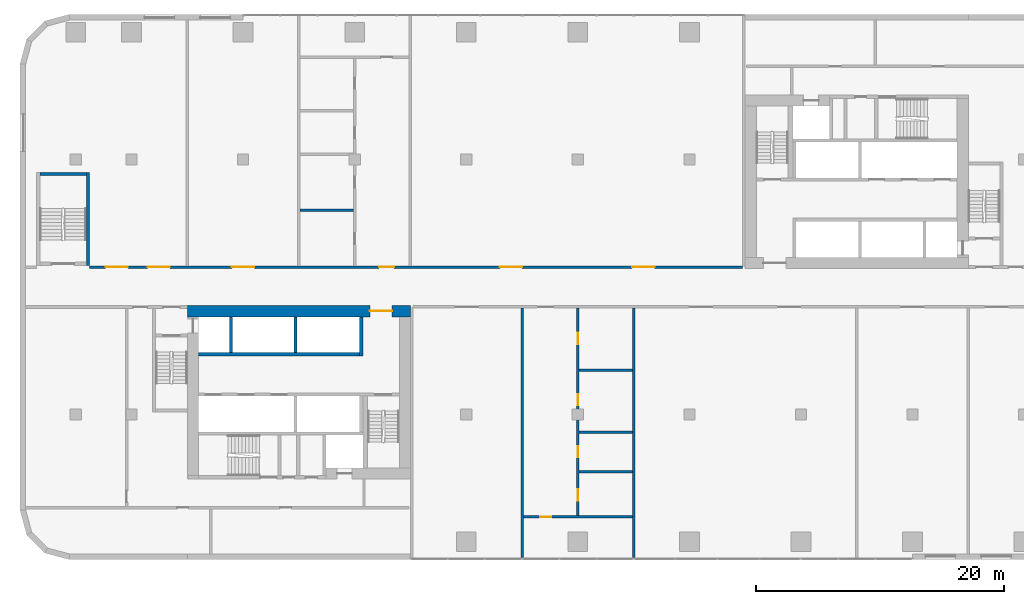
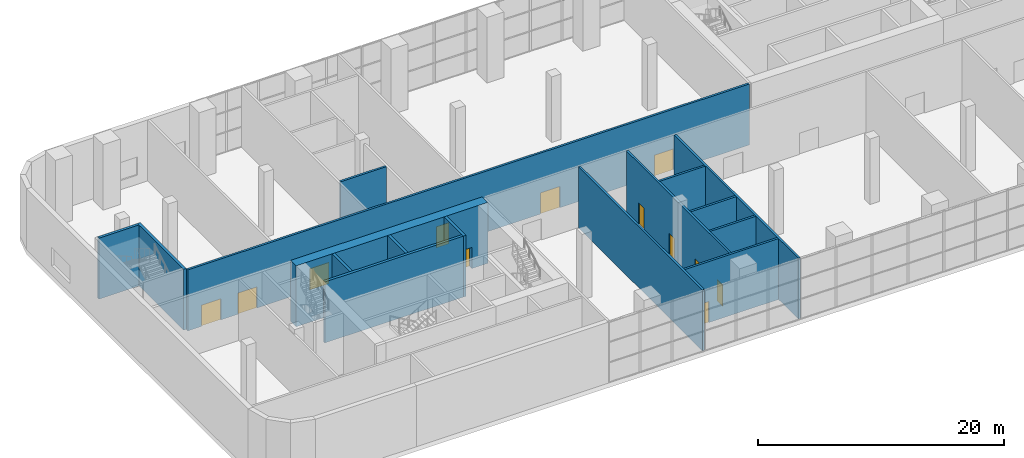
# One storey, part 9 of 24: 16 walls, 12 doors, 12 openings.
"""IFC4 building model written with IfcOpenShell, lengths in metres."""

import ifcopenshell
import ifcopenshell.guid

model = None  # the IFC model being written
_history = None  # IfcOwnerHistory: only IFC2X3 demands one
_inside = {}  # id of a spatial element -> (the spatial element, [elements in it])
_under = {}  # id of a project, library or spatial element -> (it, [spatial elements below it])
_declared = {}  # id of a project -> (the project, [libraries it declares])
_typed = {}  # id of a type object -> (the type object, [elements of that type])
_made_of = {}  # id of a material, layer set ... -> (it, [elements and type objects made of it])


def new_model(schema):
    """Start an empty IFC model of exactly this schema.

    Asked for "IFC4X3", IfcOpenShell would pick the latest addendum, in which some entities
    have other attributes; the version numbers below select the first issue.
    IFC2X3 requires an IfcOwnerHistory on every rooted entity: one is made here for all.
    """
    global model, _history
    if schema == "IFC4X3":
        model = ifcopenshell.file(schema_version=(4, 3, 0, 0))
    else:
        model = ifcopenshell.file(schema=schema)
    _inside.clear()
    _under.clear()
    _declared.clear()
    _typed.clear()
    _made_of.clear()
    _history = None
    if model.schema == "IFC2X3":
        org = make("IfcOrganization", Name="unknown")
        user = make(
            "IfcPersonAndOrganization",
            ThePerson=make("IfcPerson", FamilyName="unknown"),
            TheOrganization=org,
        )
        app = make(
            "IfcApplication",
            ApplicationDeveloper=org,
            Version="unknown",
            ApplicationFullName="unknown",
            ApplicationIdentifier="unknown",
        )
        _history = make(
            "IfcOwnerHistory",
            OwningUser=user,
            OwningApplication=app,
            ChangeAction="ADDED",
            CreationDate=0,
        )
    return model


def make(cls, **values):
    """One entity of the class cls with the attributes given. An attribute that is None is left unset."""
    return model.create_entity(
        cls, **{name: value for name, value in values.items() if value is not None}
    )


def rooted(cls, **values):
    """An entity with a GlobalId (a new one), such as an element, a storey or a relation."""
    return make(cls, GlobalId=ifcopenshell.guid.new(), OwnerHistory=_history, **values)


def si_unit(unit_type, name, prefix=None):
    """IfcSIUnit, for example si_unit("LENGTHUNIT", "METRE", prefix="MILLI")."""
    return make("IfcSIUnit", UnitType=unit_type, Prefix=prefix, Name=name)


def assignment(units):
    """IfcUnitAssignment: the units of a project."""
    return None if units is None else make("IfcUnitAssignment", Units=units)


def point(xyz):
    """IfcCartesianPoint."""
    return None if xyz is None else make("IfcCartesianPoint", Coordinates=xyz)


def direction(xyz):
    """IfcDirection."""
    return None if xyz is None else make("IfcDirection", DirectionRatios=xyz)


def frame(location, z_axis=None, x_axis=None):
    """IfcAxis2Placement3D, a coordinate frame: its origin and axes. An axis left out is left unset."""
    return make(
        "IfcAxis2Placement3D",
        Location=point(location),
        Axis=direction(z_axis),
        RefDirection=direction(x_axis),
    )


def frame_2d(location, x_axis=None):
    """IfcAxis2Placement2D, a coordinate frame in the plane: its origin and x axis."""
    return make(
        "IfcAxis2Placement2D", Location=point(location), RefDirection=direction(x_axis)
    )


def origin():
    """The frame at (0, 0, 0) with its axes left unset."""
    return frame((0.0, 0.0, 0.0))


def place(relative_to, where):
    """IfcLocalPlacement: puts the frame where relative to a parent placement (None: the world)."""
    return make(
        "IfcLocalPlacement", PlacementRelTo=relative_to, RelativePlacement=where
    )


def context(
    kind, dimensions, precision=None, world=None, true_north=None, identifier=None
):
    """IfcGeometricRepresentationContext, for example the 3D "Model" context."""
    return make(
        "IfcGeometricRepresentationContext",
        ContextIdentifier=identifier,
        ContextType=kind,
        CoordinateSpaceDimension=dimensions,
        Precision=precision,
        WorldCoordinateSystem=world,
        TrueNorth=true_north,
    )


def subcontext(parent, identifier, kind, view, scale=None):
    """IfcGeometricRepresentationSubContext, for example "Body" below "Model"."""
    return make(
        "IfcGeometricRepresentationSubContext",
        ContextIdentifier=identifier,
        ContextType=kind,
        ParentContext=parent,
        TargetScale=scale,
        TargetView=view,
    )


def project(units=None, contexts=None):
    """IfcProject with its units and contexts."""
    return rooted(
        "IfcProject",
        Name="project",
        RepresentationContexts=contexts,
        UnitsInContext=assignment(units),
    )


def spatial(cls, under=None, at=None, **own):
    """A site, building, storey or space (cls), placed at a placement, below another one or the project."""
    s = rooted(cls, ObjectPlacement=at, **own)
    if under is not None:
        _under.setdefault(under.id(), (under, []))[1].append(s)
    return s


def profile(cls, at=None, kind="AREA", **sizes):
    """A parametric profile (cls). Its sizes go by their IFC names, for example OverallWidth=200.0."""
    return make(cls, ProfileType=kind, Position=at, **sizes)


def rectangle(**sizes):
    """IfcRectangleProfileDef."""
    return profile("IfcRectangleProfileDef", **sizes)


def extrude(swept, where, along, depth):
    """IfcExtrudedAreaSolid: the profile swept, set in the frame where, extruded along a direction by depth."""
    return make(
        "IfcExtrudedAreaSolid",
        SweptArea=swept,
        Position=where,
        ExtrudedDirection=direction(along),
        Depth=depth,
    )


def shape(context_of_items, identifier, shape_type, items):
    """IfcShapeRepresentation: the items that make up one representation, for example the "Body"."""
    return make(
        "IfcShapeRepresentation",
        ContextOfItems=context_of_items,
        RepresentationIdentifier=identifier,
        RepresentationType=shape_type,
        Items=items,
    )


def material(Name=None, Category=None):
    """IfcMaterial."""
    return make("IfcMaterial", Name=Name, Category=Category)


def layer(
    of_material, thickness, ventilated=None, Name=None, Category=None, Priority=None
):
    """IfcMaterialLayer: one layer of a wall or slab, of a material (None: an air gap)."""
    return make(
        "IfcMaterialLayer",
        Material=of_material,
        LayerThickness=thickness,
        IsVentilated=ventilated,
        Name=Name,
        Category=Category,
        Priority=Priority,
    )


def layer_set(layers, Name=None):
    """IfcMaterialLayerSet."""
    return make("IfcMaterialLayerSet", MaterialLayers=layers, LayerSetName=Name)


def made_of(thing, what):
    """Note that an element or type object is made of a material, layer set ...; save() writes the relation."""
    if what is not None:
        _made_of.setdefault(what.id(), (what, []))[1].append(thing)
    return thing


def type_object(cls, material=None, **own):
    """A type object (cls), such as IfcWallType, which elements share."""
    return made_of(rooted(cls, **own), material)


def element(
    cls,
    number,
    at=None,
    inside=None,
    cuts=None,
    type_object=None,
    material=None,
    context=None,
    identifier="Body",
    shape_type=None,
    held_by="IfcProductDefinitionShape",
    body=None,
    shapes=None,
    **own,
):
    """One element of the class cls, such as IfcWall. Its Tag is "e" and its number.

    at: its placement. inside: the storey or other place that contains it. cuts: it is an
    opening in that element (IfcRelVoidsElement). A single representation is given by context,
    identifier, shape_type and body (its items); several are given by shapes. held_by: the class
    of the entity that holds the representations. save() writes the other relations.
    """
    e = rooted(cls, Tag="e%d" % number, ObjectPlacement=at, **own)
    if body is not None:
        shapes = [shape(context, identifier, shape_type, body)]
    if shapes is not None:
        e.Representation = make(held_by, Representations=shapes)
    if inside is not None:
        _inside.setdefault(inside.id(), (inside, []))[1].append(e)
    if cuts is not None:
        rooted(
            "IfcRelVoidsElement", RelatingBuildingElement=cuts, RelatedOpeningElement=e
        )
    if type_object is not None:
        _typed.setdefault(type_object.id(), (type_object, []))[1].append(e)
    return made_of(e, material)


def fill(opening, filler):
    """IfcRelFillsElement: the door or window that sits in an opening."""
    return rooted(
        "IfcRelFillsElement",
        RelatingOpeningElement=opening,
        RelatedBuildingElement=filler,
    )


def aggregate(whole, parts):
    """IfcRelAggregates: a whole, such as a stair, and the parts it consists of."""
    return rooted("IfcRelAggregates", RelatingObject=whole, RelatedObjects=parts)


def save(model, path):
    """Write the relations noted so far, then the file.

    IfcRelAggregates (storeys below a building ...), IfcRelContainedInSpatialStructure (elements
    in a storey), IfcRelDefinesByType, IfcRelAssociatesMaterial and IfcRelDeclares: one each for
    every whole, place, type object, material and project.
    """
    for whole, parts in _under.values():
        aggregate(whole, parts)
    for where, things in _inside.values():
        rooted(
            "IfcRelContainedInSpatialStructure",
            RelatedElements=things,
            RelatingStructure=where,
        )
    for kind, things in _typed.values():
        rooted("IfcRelDefinesByType", RelatedObjects=things, RelatingType=kind)
    for what, things in _made_of.values():
        rooted("IfcRelAssociatesMaterial", RelatedObjects=things, RelatingMaterial=what)
    for by, libraries in _declared.values():
        rooted("IfcRelDeclares", RelatingContext=by, RelatedDefinitions=libraries)
    model.write(path)


model = new_model("IFC4")

# Units and contexts
model_context = context("Model", 3, precision=1e-05, world=origin(), true_north=direction((0.0, 1.0)))
body_context = subcontext(model_context, "Body", "Model", "MODEL_VIEW")
ifc_project = project(units=[si_unit("LENGTHUNIT", "METRE"), si_unit("AREAUNIT", "SQUARE_METRE"), si_unit("VOLUMEUNIT", "CUBIC_METRE"), si_unit("PLANEANGLEUNIT", "RADIAN"), si_unit("MASSUNIT", "GRAM", prefix="KILO")], contexts=[model_context])

# Site, building, storey
site_placement = place(None, origin())
site = spatial("IfcSite", under=ifc_project, at=site_placement, CompositionType="ELEMENT")
building_placement = place(site_placement, origin())
building = spatial("IfcBuilding", under=site, at=building_placement, Name="Kajstack Hotel Tower", CompositionType="ELEMENT")
storey_placement = place(building_placement, frame((0.0, 0.0, 17.0)))
storey = spatial("IfcBuildingStorey", under=building, at=storey_placement, Name="L02", CompositionType="ELEMENT", Elevation=17.0)

# Wall, opening, door
ifc_material_1 = material(Name="Concrete C60/75", Category="concrete")
ifc_layer_1 = layer(ifc_material_1, 0.89990234375)
ifc_layer_set_1 = layer_set([ifc_layer_1], Name="Core wall 900")
wall_type_1 = type_object("IfcWallType", Name="Core wall 900", PredefinedType="SHEAR", material=ifc_layer_set_1)
wall_1_placement = place(storey_placement, frame((-31.5, -1.949951171875, 0.0), z_axis=(0.0, 0.0, 1.0), x_axis=(1.0, 0.0, 0.0)))
wall_1 = element("IfcWall", 1, at=wall_1_placement, inside=storey, type_object=wall_type_1, Name="Core wall W RN", PredefinedType="SHEAR", context=body_context, shape_type="SweptSolid", body=[
    extrude(rectangle(XDim=18.0, YDim=0.89990234375, at=frame_2d((9.0, 0.0))), origin(), (0.0, 0.0, 1.0), 6.050048828125),
])
opening_1_placement = place(wall_1_placement, frame((14.72509765625, 0.0, 0.0)))
opening_1 = element("IfcOpeningElement", 2, at=opening_1_placement, cuts=wall_1, Name="Opening 02W06", PredefinedType="OPENING", context=body_context, shape_type="SweptSolid", body=[
    extrude(rectangle(XDim=1.800048828125, YDim=2.10009765625, at=frame_2d((0.89990234375, 1.050048828125))), frame((0.0, 0.4599609375, 0.0), z_axis=(0.0, -1.0, 0.0), x_axis=(1.0, 0.0, 0.0)), (0.0, 0.0, 1.0), 0.919921875),
])
ifc_material_2 = material(Name="Glazed steel frame, fire-rated glass", Category="steel")
door_type_1 = type_object("IfcDoorType", Name="Lobby double door 1800", OperationType="DOUBLE_DOOR_DOUBLE_SWING", PredefinedType="DOOR", material=ifc_material_2)
door_1_placement = place(opening_1_placement, origin())
door_1 = element("IfcDoor", 3, at=door_1_placement, inside=storey, type_object=door_type_1, Name="Door 02W06", OperationType="DOUBLE_DOOR_DOUBLE_SWING", OverallHeight=2.10009765625, OverallWidth=1.800048828125, PredefinedType="DOOR", context=body_context, shape_type="SweptSolid", body=[
    extrude(rectangle(XDim=1.800048828125, YDim=2.10009765625, at=frame_2d((0.89990234375, 1.050048828125))), frame((0.0, 0.02490234375, 0.0), z_axis=(0.0, -1.0, 0.0), x_axis=(1.0, 0.0, 0.0)), (0.0, 0.0, 1.0), 0.050048828125),
])
fill(opening_1, door_1)

# Walls
ifc_material_3 = material(Name="Concrete C50/60", Category="concrete")
ifc_layer_2 = layer(ifc_material_3, 0.300048828125)
ifc_layer_set_2 = layer_set([ifc_layer_2], Name="Hoistway divider wall 300")
wall_type_2 = type_object("IfcWallType", Name="Hoistway divider wall 300", PredefinedType="SHEAR", material=ifc_layer_set_2)
wall_2_placement = place(storey_placement, frame((-22.77490234375, -5.300048828125, 0.0), z_axis=(0.0, 0.0, 1.0), x_axis=(0.0, 1.0, 0.0)))
element("IfcWall", 4, at=wall_2_placement, inside=storey, type_object=wall_type_2, Name="Core wall W AP2", PredefinedType="SHEAR", context=body_context, shape_type="SweptSolid", body=[
    extrude(rectangle(XDim=2.900146484375, YDim=0.25, at=frame_2d((1.4501953125, 0.0))), origin(), (0.0, 0.0, 1.0), 6.050048828125),
])
ifc_material_4 = material(Name="Gypsum board on steel studs, mineral wool", Category="steel")
ifc_layer_3 = layer(ifc_material_4, 0.199951171875)
ifc_layer_set_3 = layer_set([ifc_layer_3], Name="Public partition 200")
wall_type_3 = type_object("IfcWallType", Name="Public partition 200", PredefinedType="PARTITIONING", material=ifc_layer_set_3)
wall_3_placement = place(storey_placement, frame((-22.39990234375, 6.199951171875, 0.0), z_axis=(0.0, 0.0, 1.0), x_axis=(1.0, 0.0, 0.0)))
element("IfcWall", 5, at=wall_3_placement, inside=storey, type_object=wall_type_3, Name="Partition C1wP0", PredefinedType="PARTITIONING", context=body_context, shape_type="SweptSolid", body=[
    extrude(rectangle(XDim=4.2998046875, YDim=0.199951171875, at=frame_2d((2.14990234375, 0.0))), origin(), (0.0, 0.0, 1.0), 6.050048828125),
])

# Wall, openings, doors
wall_4_placement = place(storey_placement, frame((-39.39990234375, 1.60009765625, 0.0), z_axis=(0.0, 0.0, 1.0), x_axis=(1.0, 0.0, 0.0)))
wall_4 = element("IfcWall", 6, at=wall_4_placement, inside=storey, type_object=wall_type_3, Name="Partition FW", PredefinedType="PARTITIONING", context=body_context, shape_type="SweptSolid", body=[
    extrude(rectangle(XDim=52.699951171875, YDim=0.199951171875, at=frame_2d((26.35009765625, 0.0))), origin(), (0.0, 0.0, 1.0), 6.050048828125),
])
opening_2_placement = place(wall_4_placement, frame((43.7900390625, 0.0, 0.0)))
opening_2 = element("IfcOpeningElement", 7, at=opening_2_placement, cuts=wall_4, Name="Opening 02P01", PredefinedType="OPENING", context=body_context, shape_type="SweptSolid", body=[
    extrude(rectangle(XDim=1.800048828125, YDim=2.10009765625, at=frame_2d((0.89990234375, 1.050048828125))), frame((0.0, 0.10986328125, 0.0), z_axis=(0.0, -1.0, 0.0), x_axis=(1.0, 0.0, 0.0)), (0.0, 0.0, 1.0), 0.219970703125),
])
opening_3_placement = place(wall_4_placement, frame((33.110107421875, 0.0, 0.0)))
opening_3 = element("IfcOpeningElement", 8, at=opening_3_placement, cuts=wall_4, Name="Opening 02P02", PredefinedType="OPENING", context=body_context, shape_type="SweptSolid", body=[
    extrude(rectangle(XDim=1.800048828125, YDim=2.10009765625, at=frame_2d((0.89990234375, 1.050048828125))), frame((0.0, 0.10986328125, 0.0), z_axis=(0.0, -1.0, 0.0), x_axis=(1.0, 0.0, 0.0)), (0.0, 0.0, 1.0), 0.219970703125),
])
opening_4_placement = place(wall_4_placement, frame((23.375, 0.0, 0.0)))
opening_4 = element("IfcOpeningElement", 9, at=opening_4_placement, cuts=wall_4, Name="Opening 02P03", PredefinedType="OPENING", context=body_context, shape_type="SweptSolid", body=[
    extrude(rectangle(XDim=1.199951171875, YDim=2.10009765625, at=frame_2d((0.60009765625, 1.050048828125))), frame((0.0, 0.10986328125, 0.0), z_axis=(0.0, -1.0, 0.0), x_axis=(1.0, 0.0, 0.0)), (0.0, 0.0, 1.0), 0.219970703125),
])
opening_5_placement = place(wall_4_placement, frame((11.5, 0.0, 0.0)))
opening_5 = element("IfcOpeningElement", 10, at=opening_5_placement, cuts=wall_4, Name="Opening 02P09", PredefinedType="OPENING", context=body_context, shape_type="SweptSolid", body=[
    extrude(rectangle(XDim=1.800048828125, YDim=2.10009765625, at=frame_2d((0.89990234375, 1.050048828125))), frame((0.0, 0.10986328125, 0.0), z_axis=(0.0, -1.0, 0.0), x_axis=(1.0, 0.0, 0.0)), (0.0, 0.0, 1.0), 0.219970703125),
])
opening_6_placement = place(wall_4_placement, frame((4.699951171875, 0.0, 0.0)))
opening_6 = element("IfcOpeningElement", 11, at=opening_6_placement, cuts=wall_4, Name="Opening 02P10", PredefinedType="OPENING", context=body_context, shape_type="SweptSolid", body=[
    extrude(rectangle(XDim=1.800048828125, YDim=2.10009765625, at=frame_2d((0.89990234375, 1.050048828125))), frame((0.0, 0.10986328125, 0.0), z_axis=(0.0, -1.0, 0.0), x_axis=(1.0, 0.0, 0.0)), (0.0, 0.0, 1.0), 0.219970703125),
])
opening_7_placement = place(wall_4_placement, frame((1.300048828125, 0.0, 0.0)))
opening_7 = element("IfcOpeningElement", 12, at=opening_7_placement, cuts=wall_4, Name="Opening 02P11", PredefinedType="OPENING", context=body_context, shape_type="SweptSolid", body=[
    extrude(rectangle(XDim=1.800048828125, YDim=2.10009765625, at=frame_2d((0.89990234375, 1.050048828125))), frame((0.0, 0.10986328125, 0.0), z_axis=(0.0, -1.0, 0.0), x_axis=(1.0, 0.0, 0.0)), (0.0, 0.0, 1.0), 0.219970703125),
])
ifc_material_5 = material(Name="Timber leaf, fire-rated", Category="wood")
door_type_2 = type_object("IfcDoorType", Name="Public corridor door 1200", OperationType="SINGLE_SWING_LEFT", PredefinedType="DOOR", material=ifc_material_5)
door_2_placement = place(opening_4_placement, origin())
door_2 = element("IfcDoor", 13, at=door_2_placement, inside=storey, type_object=door_type_2, Name="Door 02P03", OperationType="SINGLE_SWING_LEFT", OverallHeight=2.10009765625, OverallWidth=1.199951171875, PredefinedType="DOOR", context=body_context, shape_type="SweptSolid", body=[
    extrude(rectangle(XDim=1.199951171875, YDim=2.10009765625, at=frame_2d((0.60009765625, 1.050048828125))), frame((0.0, 0.02490234375, 0.0), z_axis=(0.0, -1.0, 0.0), x_axis=(1.0, 0.0, 0.0)), (0.0, 0.0, 1.0), 0.050048828125),
])
fill(opening_4, door_2)
ifc_material_6 = material(Name="Glazed timber frame, fire-rated glass", Category="wood")
door_type_3 = type_object("IfcDoorType", Name="Public double door 1800", OperationType="DOUBLE_DOOR_DOUBLE_SWING", PredefinedType="DOOR", material=ifc_material_6)
door_3_placement = place(opening_2_placement, origin())
door_3 = element("IfcDoor", 14, at=door_3_placement, inside=storey, type_object=door_type_3, Name="Door 02P01", OperationType="DOUBLE_DOOR_DOUBLE_SWING", OverallHeight=2.10009765625, OverallWidth=1.800048828125, PredefinedType="DOOR", context=body_context, shape_type="SweptSolid", body=[
    extrude(rectangle(XDim=1.800048828125, YDim=2.10009765625, at=frame_2d((0.89990234375, 1.050048828125))), frame((0.0, 0.02490234375, 0.0), z_axis=(0.0, -1.0, 0.0), x_axis=(1.0, 0.0, 0.0)), (0.0, 0.0, 1.0), 0.050048828125),
])
fill(opening_2, door_3)
door_4_placement = place(opening_3_placement, origin())
door_4 = element("IfcDoor", 15, at=door_4_placement, inside=storey, type_object=door_type_3, Name="Door 02P02", OperationType="DOUBLE_DOOR_DOUBLE_SWING", OverallHeight=2.10009765625, OverallWidth=1.800048828125, PredefinedType="DOOR", context=body_context, shape_type="SweptSolid", body=[
    extrude(rectangle(XDim=1.800048828125, YDim=2.10009765625, at=frame_2d((0.89990234375, 1.050048828125))), frame((0.0, 0.02490234375, 0.0), z_axis=(0.0, -1.0, 0.0), x_axis=(1.0, 0.0, 0.0)), (0.0, 0.0, 1.0), 0.050048828125),
])
fill(opening_3, door_4)
door_5_placement = place(opening_5_placement, origin())
door_5 = element("IfcDoor", 16, at=door_5_placement, inside=storey, type_object=door_type_3, Name="Door 02P09", OperationType="DOUBLE_DOOR_DOUBLE_SWING", OverallHeight=2.10009765625, OverallWidth=1.800048828125, PredefinedType="DOOR", context=body_context, shape_type="SweptSolid", body=[
    extrude(rectangle(XDim=1.800048828125, YDim=2.10009765625, at=frame_2d((0.89990234375, 1.050048828125))), frame((0.0, 0.02490234375, 0.0), z_axis=(0.0, -1.0, 0.0), x_axis=(1.0, 0.0, 0.0)), (0.0, 0.0, 1.0), 0.050048828125),
])
fill(opening_5, door_5)
door_6_placement = place(opening_6_placement, origin())
door_6 = element("IfcDoor", 17, at=door_6_placement, inside=storey, type_object=door_type_3, Name="Door 02P10", OperationType="DOUBLE_DOOR_DOUBLE_SWING", OverallHeight=2.10009765625, OverallWidth=1.800048828125, PredefinedType="DOOR", context=body_context, shape_type="SweptSolid", body=[
    extrude(rectangle(XDim=1.800048828125, YDim=2.10009765625, at=frame_2d((0.89990234375, 1.050048828125))), frame((0.0, 0.02490234375, 0.0), z_axis=(0.0, -1.0, 0.0), x_axis=(1.0, 0.0, 0.0)), (0.0, 0.0, 1.0), 0.050048828125),
])
fill(opening_6, door_6)
door_7_placement = place(opening_7_placement, origin())
door_7 = element("IfcDoor", 18, at=door_7_placement, inside=storey, type_object=door_type_3, Name="Door 02P11", OperationType="DOUBLE_DOOR_DOUBLE_SWING", OverallHeight=2.10009765625, OverallWidth=1.800048828125, PredefinedType="DOOR", context=body_context, shape_type="SweptSolid", body=[
    extrude(rectangle(XDim=1.800048828125, YDim=2.10009765625, at=frame_2d((0.89990234375, 1.050048828125))), frame((0.0, 0.02490234375, 0.0), z_axis=(0.0, -1.0, 0.0), x_axis=(1.0, 0.0, 0.0)), (0.0, 0.0, 1.0), 0.050048828125),
])
fill(opening_7, door_7)

# Wall
wall_5_placement = place(storey_placement, frame((-4.5, -21.85009765625, 0.0), z_axis=(0.0, 0.0, 1.0), x_axis=(0.0, 1.0, 0.0)))
element("IfcWall", 19, at=wall_5_placement, inside=storey, type_object=wall_type_3, Name="Partition SPX0", PredefinedType="PARTITIONING", context=body_context, shape_type="SweptSolid", body=[
    extrude(rectangle(XDim=20.150146484375, YDim=0.199951171875, at=frame_2d((10.0751953125, 0.0))), origin(), (0.0, 0.0, 1.0), 6.050048828125),
])

# Wall, openings, doors
wall_6_placement = place(storey_placement, frame((0.0, -18.449951171875, 0.0), z_axis=(0.0, 0.0, 1.0), x_axis=(0.0, 1.0, 0.0)))
wall_6 = element("IfcWall", 20, at=wall_6_placement, inside=storey, type_object=wall_type_3, Name="Partition SC1CW", PredefinedType="PARTITIONING", context=body_context, shape_type="SweptSolid", body=[
    extrude(rectangle(XDim=16.75, YDim=0.199951171875, at=frame_2d((8.375, 0.0))), origin(), (0.0, 0.0, 1.0), 6.050048828125),
])
opening_8_placement = place(wall_6_placement, frame((13.85009765625, 0.0, 0.0)))
opening_8 = element("IfcOpeningElement", 21, at=opening_8_placement, cuts=wall_6, Name="Opening 02P14", PredefinedType="OPENING", context=body_context, shape_type="SweptSolid", body=[
    extrude(rectangle(XDim=0.89990234375, YDim=2.10009765625, at=frame_2d((0.449951171875, 1.050048828125))), frame((0.0, 0.10986328125, 0.0), z_axis=(0.0, -1.0, 0.0), x_axis=(1.0, 0.0, 0.0)), (0.0, 0.0, 1.0), 0.219970703125),
])
opening_9_placement = place(wall_6_placement, frame((8.89990234375, 0.0, 0.0)))
opening_9 = element("IfcOpeningElement", 22, at=opening_9_placement, cuts=wall_6, Name="Opening 02P15", PredefinedType="OPENING", context=body_context, shape_type="SweptSolid", body=[
    extrude(rectangle(XDim=0.89990234375, YDim=2.10009765625, at=frame_2d((0.449951171875, 1.050048828125))), frame((0.0, 0.10986328125, 0.0), z_axis=(0.0, -1.0, 0.0), x_axis=(1.0, 0.0, 0.0)), (0.0, 0.0, 1.0), 0.219970703125),
])
opening_10_placement = place(wall_6_placement, frame((4.699951171875, 0.0, 0.0)))
opening_10 = element("IfcOpeningElement", 23, at=opening_10_placement, cuts=wall_6, Name="Opening 02P16", PredefinedType="OPENING", context=body_context, shape_type="SweptSolid", body=[
    extrude(rectangle(XDim=0.89990234375, YDim=2.10009765625, at=frame_2d((0.449951171875, 1.050048828125))), frame((0.0, 0.10986328125, 0.0), z_axis=(0.0, -1.0, 0.0), x_axis=(1.0, 0.0, 0.0)), (0.0, 0.0, 1.0), 0.219970703125),
])
opening_11_placement = place(wall_6_placement, frame((1.22509765625, 0.0, 0.0)))
opening_11 = element("IfcOpeningElement", 24, at=opening_11_placement, cuts=wall_6, Name="Opening 02P17", PredefinedType="OPENING", context=body_context, shape_type="SweptSolid", body=[
    extrude(rectangle(XDim=0.89990234375, YDim=2.10009765625, at=frame_2d((0.449951171875, 1.050048828125))), frame((0.0, 0.10986328125, 0.0), z_axis=(0.0, -1.0, 0.0), x_axis=(1.0, 0.0, 0.0)), (0.0, 0.0, 1.0), 0.219970703125),
])
ifc_material_7 = material(Name="Timber leaf", Category="wood")
door_type_4 = type_object("IfcDoorType", Name="Public room door 900", OperationType="SINGLE_SWING_LEFT", PredefinedType="DOOR", material=ifc_material_7)
door_8_placement = place(opening_8_placement, origin())
door_8 = element("IfcDoor", 25, at=door_8_placement, inside=storey, type_object=door_type_4, Name="Door 02P14", OperationType="SINGLE_SWING_RIGHT", OverallHeight=2.10009765625, OverallWidth=0.89990234375, PredefinedType="DOOR", context=body_context, shape_type="SweptSolid", body=[
    extrude(rectangle(XDim=0.89990234375, YDim=2.10009765625, at=frame_2d((0.449951171875, 1.050048828125))), frame((0.0, 0.02490234375, 0.0), z_axis=(0.0, -1.0, 0.0), x_axis=(1.0, 0.0, 0.0)), (0.0, 0.0, 1.0), 0.050048828125),
])
fill(opening_8, door_8)
door_9_placement = place(opening_9_placement, origin())
door_9 = element("IfcDoor", 26, at=door_9_placement, inside=storey, type_object=door_type_4, Name="Door 02P15", OperationType="SINGLE_SWING_RIGHT", OverallHeight=2.10009765625, OverallWidth=0.89990234375, PredefinedType="DOOR", context=body_context, shape_type="SweptSolid", body=[
    extrude(rectangle(XDim=0.89990234375, YDim=2.10009765625, at=frame_2d((0.449951171875, 1.050048828125))), frame((0.0, 0.02490234375, 0.0), z_axis=(0.0, -1.0, 0.0), x_axis=(1.0, 0.0, 0.0)), (0.0, 0.0, 1.0), 0.050048828125),
])
fill(opening_9, door_9)
door_10_placement = place(opening_10_placement, origin())
door_10 = element("IfcDoor", 27, at=door_10_placement, inside=storey, type_object=door_type_4, Name="Door 02P16", OperationType="SINGLE_SWING_RIGHT", OverallHeight=2.10009765625, OverallWidth=0.89990234375, PredefinedType="DOOR", context=body_context, shape_type="SweptSolid", body=[
    extrude(rectangle(XDim=0.89990234375, YDim=2.10009765625, at=frame_2d((0.449951171875, 1.050048828125))), frame((0.0, 0.02490234375, 0.0), z_axis=(0.0, -1.0, 0.0), x_axis=(1.0, 0.0, 0.0)), (0.0, 0.0, 1.0), 0.050048828125),
])
fill(opening_10, door_10)
door_11_placement = place(opening_11_placement, origin())
door_11 = element("IfcDoor", 28, at=door_11_placement, inside=storey, type_object=door_type_4, Name="Door 02P17", OperationType="SINGLE_SWING_RIGHT", OverallHeight=2.10009765625, OverallWidth=0.89990234375, PredefinedType="DOOR", context=body_context, shape_type="SweptSolid", body=[
    extrude(rectangle(XDim=0.89990234375, YDim=2.10009765625, at=frame_2d((0.449951171875, 1.050048828125))), frame((0.0, 0.02490234375, 0.0), z_axis=(0.0, -1.0, 0.0), x_axis=(1.0, 0.0, 0.0)), (0.0, 0.0, 1.0), 0.050048828125),
])
fill(opening_11, door_11)

# Walls
for number, where, z_axis, x_axis, name in (
    (29, (0.10009765625, -6.699951171875, 0.0), (0.0, 0.0, 1.0), (1.0, 0.0, 0.0), "Partition SC1wP0"),
    (30, (0.10009765625, -11.699951171875, 0.0), (0.0, 0.0, 1.0), (1.0, 0.0, 0.0), "Partition SC1wP1"),
    (31, (0.10009765625, -14.89990234375, 0.0), (0.0, 0.0, 1.0), (1.0, 0.0, 0.0), "Partition SC1wP2"),
):
    element("IfcWall", number, at=place(storey_placement, frame(where, z_axis=z_axis, x_axis=x_axis)), inside=storey, type_object=wall_type_3, Name=name, PredefinedType="PARTITIONING", context=body_context, shape_type="SweptSolid", body=[
        extrude(rectangle(XDim=4.2998046875, YDim=0.199951171875, at=frame_2d((2.14990234375, 0.0))), origin(), (0.0, 0.0, 1.0), 6.050048828125),
    ])

# Wall, opening, door
wall_7_placement = place(storey_placement, frame((-4.39990234375, -18.550048828125, 0.0), z_axis=(0.0, 0.0, 1.0), x_axis=(1.0, 0.0, 0.0)))
wall_7 = element("IfcWall", 32, at=wall_7_placement, inside=storey, type_object=wall_type_3, Name="Partition SC1BW", PredefinedType="PARTITIONING", context=body_context, shape_type="SweptSolid", body=[
    extrude(rectangle(XDim=8.7998046875, YDim=0.199951171875, at=frame_2d((4.39990234375, 0.0))), origin(), (0.0, 0.0, 1.0), 6.050048828125),
])
opening_12_placement = place(wall_7_placement, frame((1.375, 0.0, 0.0)))
opening_12 = element("IfcOpeningElement", 33, at=opening_12_placement, cuts=wall_7, Name="Opening 02P18", PredefinedType="OPENING", context=body_context, shape_type="SweptSolid", body=[
    extrude(rectangle(XDim=0.89990234375, YDim=2.10009765625, at=frame_2d((0.449951171875, 1.050048828125))), frame((0.0, 0.10986328125, 0.0), z_axis=(0.0, -1.0, 0.0), x_axis=(1.0, 0.0, 0.0)), (0.0, 0.0, 1.0), 0.219970703125),
])
door_12_placement = place(opening_12_placement, origin())
door_12 = element("IfcDoor", 34, at=door_12_placement, inside=storey, type_object=door_type_4, Name="Door 02P18", OperationType="SINGLE_SWING_RIGHT", OverallHeight=2.10009765625, OverallWidth=0.89990234375, PredefinedType="DOOR", context=body_context, shape_type="SweptSolid", body=[
    extrude(rectangle(XDim=0.89990234375, YDim=2.10009765625, at=frame_2d((0.449951171875, 1.050048828125))), frame((0.0, 0.02490234375, 0.0), z_axis=(0.0, -1.0, 0.0), x_axis=(1.0, 0.0, 0.0)), (0.0, 0.0, 1.0), 0.050048828125),
])
fill(opening_12, door_12)

# Walls
wall_8_placement = place(storey_placement, frame((4.5, -21.85009765625, 0.0), z_axis=(0.0, 0.0, 1.0), x_axis=(0.0, 1.0, 0.0)))
element("IfcWall", 35, at=wall_8_placement, inside=storey, type_object=wall_type_3, Name="Partition SPX1", PredefinedType="PARTITIONING", context=body_context, shape_type="SweptSolid", body=[
    extrude(rectangle(XDim=20.150146484375, YDim=0.199951171875, at=frame_2d((10.0751953125, 0.0))), origin(), (0.0, 0.0, 1.0), 6.050048828125),
])
ifc_layer_4 = layer(ifc_material_3, 0.25)
ifc_layer_set_4 = layer_set([ifc_layer_4], Name="Shaft wall 250")
wall_type_4 = type_object("IfcWallType", Name="Shaft wall 250", PredefinedType="SHEAR", material=ifc_layer_set_4)
wall_9_placement = place(storey_placement, frame((-30.60009765625, -5.425048828125, 0.0), z_axis=(0.0, 0.0, 1.0), x_axis=(1.0, 0.0, 0.0)))
element("IfcWall", 36, at=wall_9_placement, inside=storey, type_object=wall_type_4, Name="Core wall W FA", PredefinedType="SHEAR", context=body_context, shape_type="SweptSolid", body=[
    extrude(rectangle(XDim=13.0, YDim=0.25, at=frame_2d((6.5, 0.0))), origin(), (0.0, 0.0, 1.0), 6.050048828125),
])
wall_10_placement = place(storey_placement, frame((-17.47509765625, -5.550048828125, 0.0), z_axis=(0.0, 0.0, 1.0), x_axis=(0.0, 1.0, 0.0)))
element("IfcWall", 37, at=wall_10_placement, inside=storey, type_object=wall_type_4, Name="Core wall W AE", PredefinedType="SHEAR", context=body_context, shape_type="SweptSolid", body=[
    extrude(rectangle(XDim=3.150146484375, YDim=0.25, at=frame_2d((1.5751953125, 0.0))), origin(), (0.0, 0.0, 1.0), 6.050048828125),
])
wall_11_placement = place(storey_placement, frame((-27.97509765625, -5.300048828125, 0.0), z_axis=(0.0, 0.0, 1.0), x_axis=(0.0, 1.0, 0.0)))
element("IfcWall", 38, at=wall_11_placement, inside=storey, type_object=wall_type_4, Name="Core wall W AP0", PredefinedType="SHEAR", context=body_context, shape_type="SweptSolid", body=[
    extrude(rectangle(XDim=2.900146484375, YDim=0.25, at=frame_2d((1.4501953125, 0.0))), origin(), (0.0, 0.0, 1.0), 6.050048828125),
])
ifc_material_8 = material(Name="Concrete C40/50", Category="concrete")
ifc_layer_5 = layer(ifc_material_8, 0.25)
ifc_layer_set_5 = layer_set([ifc_layer_5], Name="Stair enclosure wall 250")
wall_type_5 = type_object("IfcWallType", Name="Stair enclosure wall 250", PredefinedType="SHEAR", material=ifc_layer_set_5)
wall_12_placement = place(storey_placement, frame((-39.52490234375, 1.75, 0.0), z_axis=(0.0, 0.0, 1.0), x_axis=(0.0, 1.0, 0.0)))
element("IfcWall", 39, at=wall_12_placement, inside=storey, type_object=wall_type_5, Name="Stair wall P1 E", PredefinedType="SHEAR", context=body_context, shape_type="SweptSolid", body=[
    extrude(rectangle(XDim=7.5, YDim=0.25, at=frame_2d((3.75, 0.0))), origin(), (0.0, 0.0, 1.0), 6.050048828125),
])
wall_13_placement = place(storey_placement, frame((-43.39990234375, 9.125, 0.0), z_axis=(0.0, 0.0, 1.0), x_axis=(1.0, 0.0, 0.0)))
element("IfcWall", 40, at=wall_13_placement, inside=storey, type_object=wall_type_5, Name="Stair wall P1 F", PredefinedType="SHEAR", context=body_context, shape_type="SweptSolid", body=[
    extrude(rectangle(XDim=3.75, YDim=0.25, at=frame_2d((1.875, 0.0))), origin(), (0.0, 0.0, 1.0), 6.050048828125),
])

save(model, "model.ifc")
